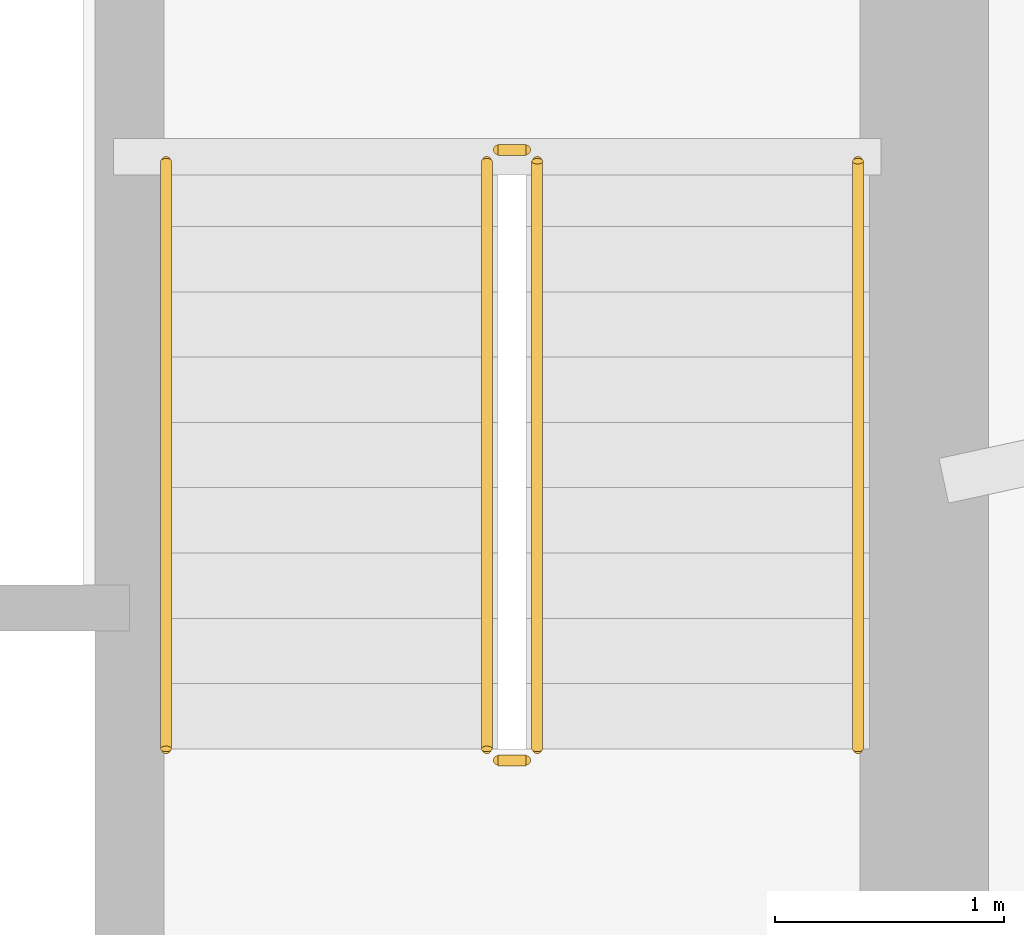
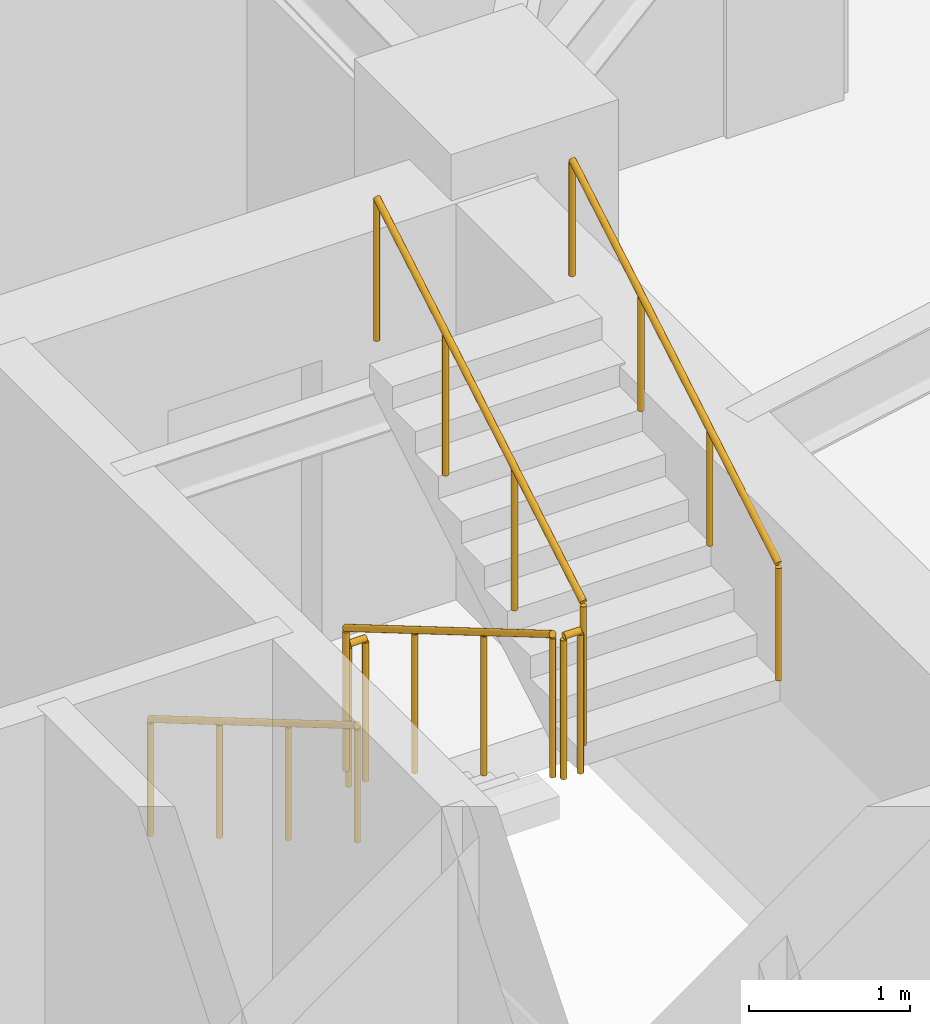
# One storey, part 20 of 20: 6 railings.
"""IFC4 building model written with IfcOpenShell, lengths in metres."""

import ifcopenshell
import ifcopenshell.guid

model = None  # the IFC model being written
_history = None  # IfcOwnerHistory: only IFC2X3 demands one
_inside = {}  # id of a spatial element -> (the spatial element, [elements in it])
_under = {}  # id of a project, library or spatial element -> (it, [spatial elements below it])
_declared = {}  # id of a project -> (the project, [libraries it declares])
_typed = {}  # id of a type object -> (the type object, [elements of that type])
_made_of = {}  # id of a material, layer set ... -> (it, [elements and type objects made of it])


def new_model(schema):
    """Start an empty IFC model of exactly this schema.

    Asked for "IFC4X3", IfcOpenShell would pick the latest addendum, in which some entities
    have other attributes; the version numbers below select the first issue.
    IFC2X3 requires an IfcOwnerHistory on every rooted entity: one is made here for all.
    """
    global model, _history
    if schema == "IFC4X3":
        model = ifcopenshell.file(schema_version=(4, 3, 0, 0))
    else:
        model = ifcopenshell.file(schema=schema)
    _inside.clear()
    _under.clear()
    _declared.clear()
    _typed.clear()
    _made_of.clear()
    _history = None
    if model.schema == "IFC2X3":
        org = make("IfcOrganization", Name="unknown")
        user = make(
            "IfcPersonAndOrganization",
            ThePerson=make("IfcPerson", FamilyName="unknown"),
            TheOrganization=org,
        )
        app = make(
            "IfcApplication",
            ApplicationDeveloper=org,
            Version="unknown",
            ApplicationFullName="unknown",
            ApplicationIdentifier="unknown",
        )
        _history = make(
            "IfcOwnerHistory",
            OwningUser=user,
            OwningApplication=app,
            ChangeAction="ADDED",
            CreationDate=0,
        )
    return model


def make(cls, **values):
    """One entity of the class cls with the attributes given. An attribute that is None is left unset."""
    return model.create_entity(
        cls, **{name: value for name, value in values.items() if value is not None}
    )


def rooted(cls, **values):
    """An entity with a GlobalId (a new one), such as an element, a storey or a relation."""
    return make(cls, GlobalId=ifcopenshell.guid.new(), OwnerHistory=_history, **values)


def si_unit(unit_type, name, prefix=None):
    """IfcSIUnit, for example si_unit("LENGTHUNIT", "METRE", prefix="MILLI")."""
    return make("IfcSIUnit", UnitType=unit_type, Prefix=prefix, Name=name)


def assignment(units):
    """IfcUnitAssignment: the units of a project."""
    return None if units is None else make("IfcUnitAssignment", Units=units)


def point(xyz):
    """IfcCartesianPoint."""
    return None if xyz is None else make("IfcCartesianPoint", Coordinates=xyz)


def direction(xyz):
    """IfcDirection."""
    return None if xyz is None else make("IfcDirection", DirectionRatios=xyz)


def frame(location, z_axis=None, x_axis=None):
    """IfcAxis2Placement3D, a coordinate frame: its origin and axes. An axis left out is left unset."""
    return make(
        "IfcAxis2Placement3D",
        Location=point(location),
        Axis=direction(z_axis),
        RefDirection=direction(x_axis),
    )


def frame_2d(location, x_axis=None):
    """IfcAxis2Placement2D, a coordinate frame in the plane: its origin and x axis."""
    return make(
        "IfcAxis2Placement2D", Location=point(location), RefDirection=direction(x_axis)
    )


def origin():
    """The frame at (0, 0, 0) with its axes left unset."""
    return frame((0.0, 0.0, 0.0))


def origin_2d():
    """The frame at (0, 0) in the plane with its x axis left unset."""
    return frame_2d((0.0, 0.0))


def place(relative_to, where):
    """IfcLocalPlacement: puts the frame where relative to a parent placement (None: the world)."""
    return make(
        "IfcLocalPlacement", PlacementRelTo=relative_to, RelativePlacement=where
    )


def context(
    kind, dimensions, precision=None, world=None, true_north=None, identifier=None
):
    """IfcGeometricRepresentationContext, for example the 3D "Model" context."""
    return make(
        "IfcGeometricRepresentationContext",
        ContextIdentifier=identifier,
        ContextType=kind,
        CoordinateSpaceDimension=dimensions,
        Precision=precision,
        WorldCoordinateSystem=world,
        TrueNorth=true_north,
    )


def subcontext(parent, identifier, kind, view, scale=None):
    """IfcGeometricRepresentationSubContext, for example "Body" below "Model"."""
    return make(
        "IfcGeometricRepresentationSubContext",
        ContextIdentifier=identifier,
        ContextType=kind,
        ParentContext=parent,
        TargetScale=scale,
        TargetView=view,
    )


def project(units=None, contexts=None):
    """IfcProject with its units and contexts."""
    return rooted(
        "IfcProject",
        Name="project",
        RepresentationContexts=contexts,
        UnitsInContext=assignment(units),
    )


def spatial(cls, under=None, at=None, **own):
    """A site, building, storey or space (cls), placed at a placement, below another one or the project."""
    s = rooted(cls, ObjectPlacement=at, **own)
    if under is not None:
        _under.setdefault(under.id(), (under, []))[1].append(s)
    return s


def profile(cls, at=None, kind="AREA", **sizes):
    """A parametric profile (cls). Its sizes go by their IFC names, for example OverallWidth=200.0."""
    return make(cls, ProfileType=kind, Position=at, **sizes)


def circle(**sizes):
    """IfcCircleProfileDef."""
    return profile("IfcCircleProfileDef", **sizes)


def extrude(swept, where, along, depth):
    """IfcExtrudedAreaSolid: the profile swept, set in the frame where, extruded along a direction by depth."""
    return make(
        "IfcExtrudedAreaSolid",
        SweptArea=swept,
        Position=where,
        ExtrudedDirection=direction(along),
        Depth=depth,
    )


def shape(context_of_items, identifier, shape_type, items):
    """IfcShapeRepresentation: the items that make up one representation, for example the "Body"."""
    return make(
        "IfcShapeRepresentation",
        ContextOfItems=context_of_items,
        RepresentationIdentifier=identifier,
        RepresentationType=shape_type,
        Items=items,
    )


def material(Name=None, Category=None):
    """IfcMaterial."""
    return make("IfcMaterial", Name=Name, Category=Category)


def made_of(thing, what):
    """Note that an element or type object is made of a material, layer set ...; save() writes the relation."""
    if what is not None:
        _made_of.setdefault(what.id(), (what, []))[1].append(thing)
    return thing


def type_object(cls, material=None, **own):
    """A type object (cls), such as IfcWallType, which elements share."""
    return made_of(rooted(cls, **own), material)


def element(
    cls,
    number,
    at=None,
    inside=None,
    cuts=None,
    type_object=None,
    material=None,
    context=None,
    identifier="Body",
    shape_type=None,
    held_by="IfcProductDefinitionShape",
    body=None,
    shapes=None,
    **own,
):
    """One element of the class cls, such as IfcWall. Its Tag is "e" and its number.

    at: its placement. inside: the storey or other place that contains it. cuts: it is an
    opening in that element (IfcRelVoidsElement). A single representation is given by context,
    identifier, shape_type and body (its items); several are given by shapes. held_by: the class
    of the entity that holds the representations. save() writes the other relations.
    """
    e = rooted(cls, Tag="e%d" % number, ObjectPlacement=at, **own)
    if body is not None:
        shapes = [shape(context, identifier, shape_type, body)]
    if shapes is not None:
        e.Representation = make(held_by, Representations=shapes)
    if inside is not None:
        _inside.setdefault(inside.id(), (inside, []))[1].append(e)
    if cuts is not None:
        rooted(
            "IfcRelVoidsElement", RelatingBuildingElement=cuts, RelatedOpeningElement=e
        )
    if type_object is not None:
        _typed.setdefault(type_object.id(), (type_object, []))[1].append(e)
    return made_of(e, material)


def aggregate(whole, parts):
    """IfcRelAggregates: a whole, such as a stair, and the parts it consists of."""
    return rooted("IfcRelAggregates", RelatingObject=whole, RelatedObjects=parts)


def save(model, path):
    """Write the relations noted so far, then the file.

    IfcRelAggregates (storeys below a building ...), IfcRelContainedInSpatialStructure (elements
    in a storey), IfcRelDefinesByType, IfcRelAssociatesMaterial and IfcRelDeclares: one each for
    every whole, place, type object, material and project.
    """
    for whole, parts in _under.values():
        aggregate(whole, parts)
    for where, things in _inside.values():
        rooted(
            "IfcRelContainedInSpatialStructure",
            RelatedElements=things,
            RelatingStructure=where,
        )
    for kind, things in _typed.values():
        rooted("IfcRelDefinesByType", RelatedObjects=things, RelatingType=kind)
    for what, things in _made_of.values():
        rooted("IfcRelAssociatesMaterial", RelatedObjects=things, RelatingMaterial=what)
    for by, libraries in _declared.values():
        rooted("IfcRelDeclares", RelatingContext=by, RelatedDefinitions=libraries)
    model.write(path)


model = new_model("IFC4")

# Units and contexts
model_context = context("Model", 3, precision=1e-05, world=origin(), true_north=direction((0.0, 1.0)))
body_context = subcontext(model_context, "Body", "Model", "MODEL_VIEW")
ifc_project = project(units=[si_unit("LENGTHUNIT", "METRE"), si_unit("AREAUNIT", "SQUARE_METRE"), si_unit("VOLUMEUNIT", "CUBIC_METRE"), si_unit("PLANEANGLEUNIT", "RADIAN"), si_unit("MASSUNIT", "GRAM", prefix="KILO")], contexts=[model_context])

# Site, building, storey
site_placement = place(None, origin())
site = spatial("IfcSite", under=ifc_project, at=site_placement, CompositionType="ELEMENT")
building_placement = place(site_placement, origin())
building = spatial("IfcBuilding", under=site, at=building_placement, Name="Qobustan Lattice House", CompositionType="ELEMENT")
storey_placement = place(building_placement, frame((0.0, 0.0, 70.550048828125)))
storey = spatial("IfcBuildingStorey", under=building, at=storey_placement, Name="L19", CompositionType="ELEMENT", Elevation=70.550048828125)

# Railings
ifc_material_1 = material(Name="Brushed stainless steel handrail", Category="steel")
railing_type_1 = type_object("IfcRailingType", Name="RAL-HR-920", PredefinedType="HANDRAIL", material=ifc_material_1)
railing_1_placement = place(storey_placement, frame((15.179931640625, 3.5, 0.16748046875)))
element("IfcRailing", 1, at=railing_1_placement, inside=storey, type_object=railing_type_1, Name="L19 ST-E1 stair handrail 1", PredefinedType="HANDRAIL", context=body_context, shape_type="SweptSolid", body=[
    extrude(circle(Radius=0.02392578125, at=origin_2d()), frame((0.0, 0.0, 0.8759765625), z_axis=(0.0, -0.862113467892, 0.50671527358), x_axis=(1.0, 0.0, 0.0)), (0.0, 0.0, 1.0), 2.97509765625),
    extrude(circle(Radius=0.02099609375, at=origin_2d()), origin(), (0.0, 0.0, 1.0), 0.851806640625),
    extrude(circle(Radius=0.02099609375, at=origin_2d()), frame((0.0, -0.85498046875, 0.50244140625)), (0.0, 0.0, 1.0), 0.851806640625),
    extrude(circle(Radius=0.02099609375, at=origin_2d()), frame((0.0, -1.7099609375, 1.005126953125)), (0.0, 0.0, 1.0), 0.851806640625),
    extrude(circle(Radius=0.02099609375, at=origin_2d()), frame((0.0, -2.56494140625, 1.507568359375)), (0.0, 0.0, 1.0), 0.851806640625),
])
railing_2_placement = place(storey_placement, frame((18.199951171875, 0.93505859375, 1.842529296875)))
element("IfcRailing", 2, at=railing_2_placement, inside=storey, type_object=railing_type_1, Name="L19 ST-E1 stair handrail 2", PredefinedType="HANDRAIL", context=body_context, shape_type="SweptSolid", body=[
    extrude(circle(Radius=0.02392578125, at=origin_2d()), frame((0.0, 0.0, 0.8759765625), z_axis=(0.0, 0.862149314443, 0.506654280161), x_axis=(-1.0, 0.0, 0.0)), (0.0, 0.0, 1.0), 2.97509765625),
    extrude(circle(Radius=0.02099609375, at=origin_2d()), origin(), (0.0, 0.0, 1.0), 0.851806640625),
    extrude(circle(Radius=0.02099609375, at=origin_2d()), frame((0.0, 0.85498046875, 0.50244140625)), (0.0, 0.0, 1.0), 0.851806640625),
    extrude(circle(Radius=0.02099609375, at=origin_2d()), frame((0.0, 1.7099609375, 1.0048828125)), (0.0, 0.0, 1.0), 0.851806640625),
    extrude(circle(Radius=0.02099609375, at=origin_2d()), frame((0.0, 2.56494140625, 1.50732421875)), (0.0, 0.0, 1.0), 0.851806640625),
])
ifc_material_2 = material(Name="Painted galvanized steel guardrail", Category="steel")
railing_type_2 = type_object("IfcRailingType", Name="RAL-STG-1150", PredefinedType="GUARDRAIL", material=ifc_material_2)
railing_3_placement = place(storey_placement, frame((16.580078125, 3.5, 0.16748046875)))
element("IfcRailing", 3, at=railing_3_placement, inside=storey, type_object=railing_type_2, Name="L19 ST-E1 stair guard 1", PredefinedType="GUARDRAIL", context=body_context, shape_type="SweptSolid", body=[
    extrude(circle(Radius=0.02392578125, at=origin_2d()), frame((0.0, 0.0, 1.076171875), z_axis=(0.0, -0.862113467892, 0.50671527358), x_axis=(1.0, 0.0, 0.0)), (0.0, 0.0, 1.0), 2.97509765625),
    extrude(circle(Radius=0.02099609375, at=origin_2d()), origin(), (0.0, 0.0, 1.0), 1.052001953125),
    extrude(circle(Radius=0.02099609375, at=origin_2d()), frame((0.0, -0.85498046875, 0.50244140625)), (0.0, 0.0, 1.0), 1.052001953125),
    extrude(circle(Radius=0.02099609375, at=origin_2d()), frame((0.0, -1.7099609375, 1.005126953125)), (0.0, 0.0, 1.0), 1.052001953125),
    extrude(circle(Radius=0.02099609375, at=origin_2d()), frame((0.0, -2.56494140625, 1.507568359375)), (0.0, 0.0, 1.0), 1.052001953125),
])
railing_4_placement = place(storey_placement, frame((16.6298828125, 0.885009765625, 1.675048828125)))
element("IfcRailing", 4, at=railing_4_placement, inside=storey, type_object=railing_type_2, Name="L19 ST-E1 stair guard 2", PredefinedType="GUARDRAIL", context=body_context, shape_type="SweptSolid", body=[
    extrude(circle(Radius=0.02392578125, at=origin_2d()), frame((0.0, 0.0, 1.076171875), z_axis=(1.0, 0.0, 0.0), x_axis=(0.0, 1.0, 0.0)), (0.0, 0.0, 1.0), 0.1201171875),
    extrude(circle(Radius=0.02099609375, at=origin_2d()), origin(), (0.0, 0.0, 1.0), 1.052001953125),
    extrude(circle(Radius=0.02099609375, at=origin_2d()), frame((0.1201171875, 0.0, 0.0)), (0.0, 0.0, 1.0), 1.052001953125),
])
railing_5_placement = place(storey_placement, frame((16.800048828125, 0.93505859375, 1.842529296875)))
element("IfcRailing", 5, at=railing_5_placement, inside=storey, type_object=railing_type_2, Name="L19 ST-E1 stair guard 3", PredefinedType="GUARDRAIL", context=body_context, shape_type="SweptSolid", body=[
    extrude(circle(Radius=0.02392578125, at=origin_2d()), frame((0.0, 0.0, 1.076171875), z_axis=(0.0, 0.862149314443, 0.506654280161), x_axis=(-1.0, 0.0, 0.0)), (0.0, 0.0, 1.0), 2.97509765625),
    extrude(circle(Radius=0.02099609375, at=origin_2d()), origin(), (0.0, 0.0, 1.0), 1.052001953125),
    extrude(circle(Radius=0.02099609375, at=origin_2d()), frame((0.0, 0.85498046875, 0.50244140625)), (0.0, 0.0, 1.0), 1.052001953125),
    extrude(circle(Radius=0.02099609375, at=origin_2d()), frame((0.0, 1.7099609375, 1.0048828125)), (0.0, 0.0, 1.0), 1.052001953125),
    extrude(circle(Radius=0.02099609375, at=origin_2d()), frame((0.0, 2.56494140625, 1.50732421875)), (0.0, 0.0, 1.0), 1.052001953125),
])
railing_6_placement = place(storey_placement, frame((16.6298828125, 3.550048828125, 0.0)))
element("IfcRailing", 6, at=railing_6_placement, inside=storey, type_object=railing_type_2, Name="L19 ST-E1 stair guard 4", PredefinedType="GUARDRAIL", context=body_context, shape_type="SweptSolid", body=[
    extrude(circle(Radius=0.02392578125, at=origin_2d()), frame((0.0, 0.0, 1.076171875), z_axis=(1.0, 0.0, 0.0), x_axis=(0.0, 1.0, 0.0)), (0.0, 0.0, 1.0), 0.1201171875),
    extrude(circle(Radius=0.02099609375, at=origin_2d()), origin(), (0.0, 0.0, 1.0), 1.052001953125),
    extrude(circle(Radius=0.02099609375, at=origin_2d()), frame((0.1201171875, 0.0, 0.0)), (0.0, 0.0, 1.0), 1.052001953125),
])

save(model, "model.ifc")
